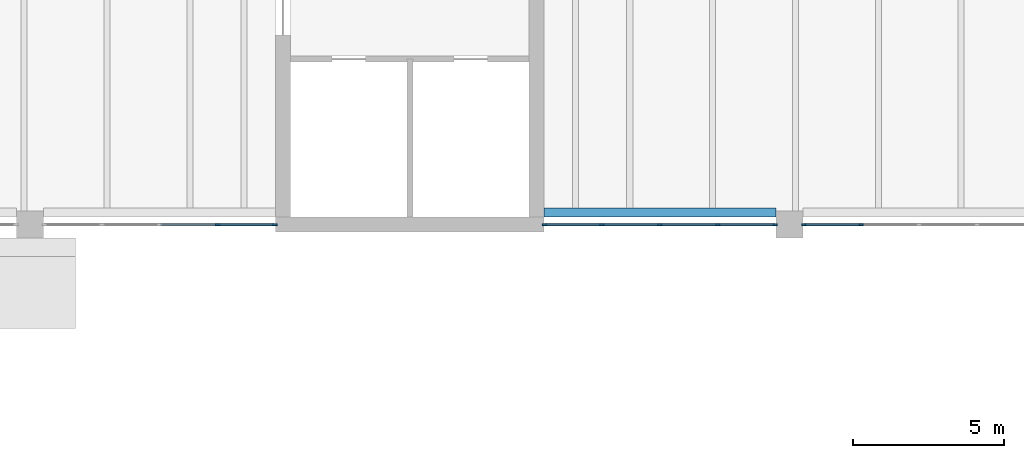
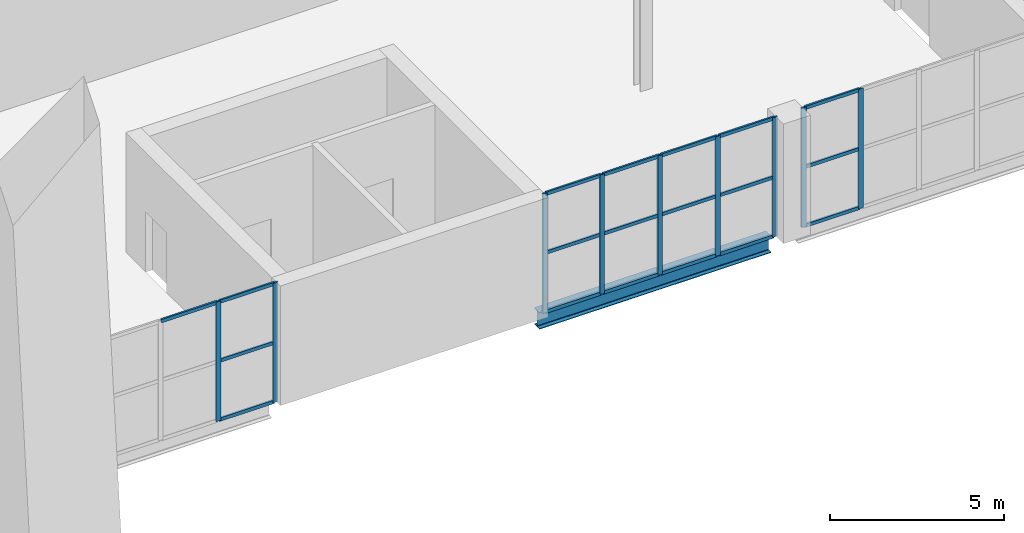
# One storey, part 31 of 100: 28 members, 1 beam, 3 elements without a shape of their own.
"""IFC4 building model written with IfcOpenShell, lengths in metres."""

from ifc_helpers import new_model, si_unit, direction, frame, origin, origin_2d, place, context, subcontext, project, spatial, rectangle, i_section, extrude, material, layer, layer_set, material_profile, profile_set, type_object, element, aggregate, save


model = new_model("IFC4")

# Units and contexts
model_context = context("Model", 3, precision=1e-05, world=origin(), true_north=direction((0.0, 1.0)))
body_context = subcontext(model_context, "Body", "Model", "MODEL_VIEW")
ifc_project = project(units=[si_unit("LENGTHUNIT", "METRE"), si_unit("AREAUNIT", "SQUARE_METRE"), si_unit("VOLUMEUNIT", "CUBIC_METRE"), si_unit("PLANEANGLEUNIT", "RADIAN"), si_unit("MASSUNIT", "GRAM", prefix="KILO")], contexts=[model_context])

# Site, building, storey
site_placement = place(None, origin())
site = spatial("IfcSite", under=ifc_project, at=site_placement, CompositionType="ELEMENT")
building_placement = place(site_placement, origin())
building = spatial("IfcBuilding", under=site, at=building_placement, Name="Cresset Court Congress Hotel", CompositionType="ELEMENT")
storey_placement = place(building_placement, frame((0.0, 0.0, 10.199951171875)))
storey = spatial("IfcBuildingStorey", under=building, at=storey_placement, Name="L02", CompositionType="ELEMENT", Elevation=10.199951171875)

# Curtain wall, members
ifc_material_1 = material(Name="Aluminium and glass", Category="aluminium")
ifc_layer = layer(ifc_material_1, 0.199951171875)
ifc_layer_set = layer_set([ifc_layer], Name="Foyer curtain wall 1925 module")
curtain_wall_type = type_object("IfcCurtainWallType", Name="Foyer curtain wall 1925 module", PredefinedType="NOTDEFINED", material=ifc_layer_set)
curtain_wall_1_placement = place(storey_placement, origin())
curtain_wall_1 = element("IfcCurtainWall", 1, at=curtain_wall_1_placement, inside=storey, type_object=curtain_wall_type, Name="Curtain wall CX-022", PredefinedType="NOTDEFINED")
ifc_material_2 = material(Name="Anodised aluminium", Category="aluminium")
ifc_material_profile_1 = material_profile(ifc_material_2, rectangle(XDim=0.06005859375, YDim=0.159912109375, at=origin_2d()), Name="AL60x160")
ifc_profile_set_1 = profile_set([ifc_material_profile_1], Name="Anodised aluminium")
member_type_1 = type_object("IfcMemberType", Name="Curtain wall mullion 60x160", PredefinedType="MULLION", material=ifc_profile_set_1)
member_1_placement = place(storey_placement, frame((81.824951171875, 58.800048828125, 0.0), z_axis=(0.0, 0.0, 1.0), x_axis=(0.0, 1.0, 0.0)))
member_1 = element("IfcMember", 2, at=member_1_placement, type_object=member_type_1, Name="C-X1 mullion 4", PredefinedType="MULLION", context=body_context, shape_type="SweptSolid", body=[
    extrude(rectangle(XDim=0.06005859375, YDim=0.159912109375, at=origin_2d()), origin(), (0.0, 0.0, 1.0), 4.199951171875),
])
member_2_placement = place(storey_placement, frame((83.719970703125, 58.800048828125, 0.0), z_axis=(0.0, 0.0, 1.0), x_axis=(0.0, 1.0, 0.0)))
member_2 = element("IfcMember", 3, at=member_2_placement, type_object=member_type_1, Name="C-X1 mullion 5", PredefinedType="MULLION", context=body_context, shape_type="SweptSolid", body=[
    extrude(rectangle(XDim=0.06005859375, YDim=0.159912109375, at=origin_2d()), origin(), (0.0, 0.0, 1.0), 4.199951171875),
])

curtain_wall_2_placement = place(storey_placement, origin())
curtain_wall_2 = element("IfcCurtainWall", 4, at=curtain_wall_2_placement, inside=storey, type_object=curtain_wall_type, Name="Curtain wall CX-023", PredefinedType="NOTDEFINED")
member_3_placement = place(storey_placement, frame((92.679931640625, 58.800048828125, 0.0), z_axis=(0.0, 0.0, 1.0), x_axis=(0.0, 1.0, 0.0)))
member_3 = element("IfcMember", 5, at=member_3_placement, type_object=member_type_1, Name="C-X1 mullion 1", PredefinedType="MULLION", context=body_context, shape_type="SweptSolid", body=[
    extrude(rectangle(XDim=0.06005859375, YDim=0.159912109375, at=origin_2d()), origin(), (0.0, 0.0, 1.0), 4.199951171875),
])
member_4_placement = place(storey_placement, frame((94.574951171875, 58.800048828125, 0.0), z_axis=(0.0, 0.0, 1.0), x_axis=(0.0, 1.0, 0.0)))
member_4 = element("IfcMember", 6, at=member_4_placement, type_object=member_type_1, Name="C-X1 mullion 2", PredefinedType="MULLION", context=body_context, shape_type="SweptSolid", body=[
    extrude(rectangle(XDim=0.06005859375, YDim=0.159912109375, at=origin_2d()), origin(), (0.0, 0.0, 1.0), 4.199951171875),
])
member_5_placement = place(storey_placement, frame((96.5, 58.800048828125, 0.0), z_axis=(0.0, 0.0, 1.0), x_axis=(0.0, 1.0, 0.0)))
member_5 = element("IfcMember", 7, at=member_5_placement, type_object=member_type_1, Name="C-X1 mullion 3", PredefinedType="MULLION", context=body_context, shape_type="SweptSolid", body=[
    extrude(rectangle(XDim=0.06005859375, YDim=0.159912109375, at=origin_2d()), origin(), (0.0, 0.0, 1.0), 4.199951171875),
])
member_6_placement = place(storey_placement, frame((98.425048828125, 58.800048828125, 0.0), z_axis=(0.0, 0.0, 1.0), x_axis=(0.0, 1.0, 0.0)))
member_6 = element("IfcMember", 8, at=member_6_placement, type_object=member_type_1, Name="C-X1 mullion 4", PredefinedType="MULLION", context=body_context, shape_type="SweptSolid", body=[
    extrude(rectangle(XDim=0.06005859375, YDim=0.159912109375, at=origin_2d()), origin(), (0.0, 0.0, 1.0), 4.199951171875),
])
member_7_placement = place(storey_placement, frame((100.320068359375, 58.800048828125, 0.0), z_axis=(0.0, 0.0, 1.0), x_axis=(0.0, 1.0, 0.0)))
member_7 = element("IfcMember", 9, at=member_7_placement, type_object=member_type_1, Name="C-X1 mullion 5", PredefinedType="MULLION", context=body_context, shape_type="SweptSolid", body=[
    extrude(rectangle(XDim=0.06005859375, YDim=0.159912109375, at=origin_2d()), origin(), (0.0, 0.0, 1.0), 4.199951171875),
])

curtain_wall_3_placement = place(storey_placement, origin())
curtain_wall_3 = element("IfcCurtainWall", 10, at=curtain_wall_3_placement, inside=storey, type_object=curtain_wall_type, Name="Curtain wall CX-024", PredefinedType="NOTDEFINED")
member_8_placement = place(storey_placement, frame((101.280029296875, 58.800048828125, 0.0), z_axis=(0.0, 0.0, 1.0), x_axis=(0.0, 1.0, 0.0)))
member_8 = element("IfcMember", 11, at=member_8_placement, type_object=member_type_1, Name="C-X1 mullion 1", PredefinedType="MULLION", context=body_context, shape_type="SweptSolid", body=[
    extrude(rectangle(XDim=0.06005859375, YDim=0.159912109375, at=origin_2d()), origin(), (0.0, 0.0, 1.0), 4.199951171875),
])
member_9_placement = place(storey_placement, frame((103.175048828125, 58.800048828125, 0.0), z_axis=(0.0, 0.0, 1.0), x_axis=(0.0, 1.0, 0.0)))
member_9 = element("IfcMember", 12, at=member_9_placement, type_object=member_type_1, Name="C-X1 mullion 2", PredefinedType="MULLION", context=body_context, shape_type="SweptSolid", body=[
    extrude(rectangle(XDim=0.06005859375, YDim=0.159912109375, at=origin_2d()), origin(), (0.0, 0.0, 1.0), 4.199951171875),
])

# Member
ifc_material_3 = material(Name="Anodised aluminium", Category="aluminium")
ifc_material_profile_2 = material_profile(ifc_material_3, rectangle(XDim=0.06005859375, YDim=0.1201171875, at=origin_2d()), Name="AL60x120")
ifc_profile_set_2 = profile_set([ifc_material_profile_2], Name="Anodised aluminium")
member_type_2 = type_object("IfcMemberType", Name="Curtain wall transom 60x120", PredefinedType="USERDEFINED", material=ifc_profile_set_2)
member_10_placement = place(storey_placement, frame((79.929931640625, 58.800048828125, 4.170166015625), z_axis=(1.0, 0.0, 0.0), x_axis=(0.0, 1.0, 0.0)))
member_10 = element("IfcMember", 13, at=member_10_placement, type_object=member_type_2, Name="C-X1 transom 3.3", ObjectType="TRANSOM", PredefinedType="USERDEFINED", context=body_context, shape_type="SweptSolid", body=[
    extrude(rectangle(XDim=0.06005859375, YDim=0.1201171875, at=origin_2d()), origin(), (0.0, 0.0, 1.0), 1.864990234375),
])

member_11_placement = place(storey_placement, frame((81.85498046875, 58.800048828125, 0.030029296875), z_axis=(1.0, 0.0, 0.0), x_axis=(0.0, 1.0, 0.0)))
member_11 = element("IfcMember", 14, at=member_11_placement, type_object=member_type_2, Name="C-X1 transom 4.1", ObjectType="TRANSOM", PredefinedType="USERDEFINED", context=body_context, shape_type="SweptSolid", body=[
    extrude(rectangle(XDim=0.06005859375, YDim=0.1201171875, at=origin_2d()), origin(), (0.0, 0.0, 1.0), 1.8349609375),
])

member_12_placement = place(storey_placement, frame((81.85498046875, 58.800048828125, 2.10009765625), z_axis=(1.0, 0.0, 0.0), x_axis=(0.0, 1.0, 0.0)))
member_12 = element("IfcMember", 15, at=member_12_placement, type_object=member_type_2, Name="C-X1 transom 4.2", ObjectType="TRANSOM", PredefinedType="USERDEFINED", context=body_context, shape_type="SweptSolid", body=[
    extrude(rectangle(XDim=0.06005859375, YDim=0.1201171875, at=origin_2d()), origin(), (0.0, 0.0, 1.0), 1.8349609375),
])

member_13_placement = place(storey_placement, frame((81.85498046875, 58.800048828125, 4.170166015625), z_axis=(1.0, 0.0, 0.0), x_axis=(0.0, 1.0, 0.0)))
member_13 = element("IfcMember", 16, at=member_13_placement, type_object=member_type_2, Name="C-X1 transom 4.3", ObjectType="TRANSOM", PredefinedType="USERDEFINED", context=body_context, shape_type="SweptSolid", body=[
    extrude(rectangle(XDim=0.06005859375, YDim=0.1201171875, at=origin_2d()), origin(), (0.0, 0.0, 1.0), 1.8349609375),
])

aggregate(curtain_wall_1, [member_1, member_2, member_10, member_11, member_12, member_13])

member_14_placement = place(storey_placement, frame((92.7099609375, 58.800048828125, 0.030029296875), z_axis=(1.0, 0.0, 0.0), x_axis=(0.0, 1.0, 0.0)))
member_14 = element("IfcMember", 17, at=member_14_placement, type_object=member_type_2, Name="C-X1 transom 1.1", ObjectType="TRANSOM", PredefinedType="USERDEFINED", context=body_context, shape_type="SweptSolid", body=[
    extrude(rectangle(XDim=0.06005859375, YDim=0.1201171875, at=origin_2d()), origin(), (0.0, 0.0, 1.0), 1.8349609375),
])

member_15_placement = place(storey_placement, frame((92.7099609375, 58.800048828125, 2.10009765625), z_axis=(1.0, 0.0, 0.0), x_axis=(0.0, 1.0, 0.0)))
member_15 = element("IfcMember", 18, at=member_15_placement, type_object=member_type_2, Name="C-X1 transom 1.2", ObjectType="TRANSOM", PredefinedType="USERDEFINED", context=body_context, shape_type="SweptSolid", body=[
    extrude(rectangle(XDim=0.06005859375, YDim=0.1201171875, at=origin_2d()), origin(), (0.0, 0.0, 1.0), 1.8349609375),
])

member_16_placement = place(storey_placement, frame((92.7099609375, 58.800048828125, 4.170166015625), z_axis=(1.0, 0.0, 0.0), x_axis=(0.0, 1.0, 0.0)))
member_16 = element("IfcMember", 19, at=member_16_placement, type_object=member_type_2, Name="C-X1 transom 1.3", ObjectType="TRANSOM", PredefinedType="USERDEFINED", context=body_context, shape_type="SweptSolid", body=[
    extrude(rectangle(XDim=0.06005859375, YDim=0.1201171875, at=origin_2d()), origin(), (0.0, 0.0, 1.0), 1.8349609375),
])

member_17_placement = place(storey_placement, frame((94.60498046875, 58.800048828125, 0.030029296875), z_axis=(1.0, 0.0, 0.0), x_axis=(0.0, 1.0, 0.0)))
member_17 = element("IfcMember", 20, at=member_17_placement, type_object=member_type_2, Name="C-X1 transom 2.1", ObjectType="TRANSOM", PredefinedType="USERDEFINED", context=body_context, shape_type="SweptSolid", body=[
    extrude(rectangle(XDim=0.06005859375, YDim=0.1201171875, at=origin_2d()), origin(), (0.0, 0.0, 1.0), 1.864990234375),
])

member_18_placement = place(storey_placement, frame((94.60498046875, 58.800048828125, 2.10009765625), z_axis=(1.0, 0.0, 0.0), x_axis=(0.0, 1.0, 0.0)))
member_18 = element("IfcMember", 21, at=member_18_placement, type_object=member_type_2, Name="C-X1 transom 2.2", ObjectType="TRANSOM", PredefinedType="USERDEFINED", context=body_context, shape_type="SweptSolid", body=[
    extrude(rectangle(XDim=0.06005859375, YDim=0.1201171875, at=origin_2d()), origin(), (0.0, 0.0, 1.0), 1.864990234375),
])

member_19_placement = place(storey_placement, frame((94.60498046875, 58.800048828125, 4.170166015625), z_axis=(1.0, 0.0, 0.0), x_axis=(0.0, 1.0, 0.0)))
member_19 = element("IfcMember", 22, at=member_19_placement, type_object=member_type_2, Name="C-X1 transom 2.3", ObjectType="TRANSOM", PredefinedType="USERDEFINED", context=body_context, shape_type="SweptSolid", body=[
    extrude(rectangle(XDim=0.06005859375, YDim=0.1201171875, at=origin_2d()), origin(), (0.0, 0.0, 1.0), 1.864990234375),
])

member_20_placement = place(storey_placement, frame((96.530029296875, 58.800048828125, 0.030029296875), z_axis=(1.0, 0.0, 0.0), x_axis=(0.0, 1.0, 0.0)))
member_20 = element("IfcMember", 23, at=member_20_placement, type_object=member_type_2, Name="C-X1 transom 3.1", ObjectType="TRANSOM", PredefinedType="USERDEFINED", context=body_context, shape_type="SweptSolid", body=[
    extrude(rectangle(XDim=0.06005859375, YDim=0.1201171875, at=origin_2d()), origin(), (0.0, 0.0, 1.0), 1.864990234375),
])

member_21_placement = place(storey_placement, frame((96.530029296875, 58.800048828125, 2.10009765625), z_axis=(1.0, 0.0, 0.0), x_axis=(0.0, 1.0, 0.0)))
member_21 = element("IfcMember", 24, at=member_21_placement, type_object=member_type_2, Name="C-X1 transom 3.2", ObjectType="TRANSOM", PredefinedType="USERDEFINED", context=body_context, shape_type="SweptSolid", body=[
    extrude(rectangle(XDim=0.06005859375, YDim=0.1201171875, at=origin_2d()), origin(), (0.0, 0.0, 1.0), 1.864990234375),
])

member_22_placement = place(storey_placement, frame((96.530029296875, 58.800048828125, 4.170166015625), z_axis=(1.0, 0.0, 0.0), x_axis=(0.0, 1.0, 0.0)))
member_22 = element("IfcMember", 25, at=member_22_placement, type_object=member_type_2, Name="C-X1 transom 3.3", ObjectType="TRANSOM", PredefinedType="USERDEFINED", context=body_context, shape_type="SweptSolid", body=[
    extrude(rectangle(XDim=0.06005859375, YDim=0.1201171875, at=origin_2d()), origin(), (0.0, 0.0, 1.0), 1.864990234375),
])

member_23_placement = place(storey_placement, frame((98.455078125, 58.800048828125, 0.030029296875), z_axis=(1.0, 0.0, 0.0), x_axis=(0.0, 1.0, 0.0)))
member_23 = element("IfcMember", 26, at=member_23_placement, type_object=member_type_2, Name="C-X1 transom 4.1", ObjectType="TRANSOM", PredefinedType="USERDEFINED", context=body_context, shape_type="SweptSolid", body=[
    extrude(rectangle(XDim=0.06005859375, YDim=0.1201171875, at=origin_2d()), origin(), (0.0, 0.0, 1.0), 1.8349609375),
])

member_24_placement = place(storey_placement, frame((98.455078125, 58.800048828125, 2.10009765625), z_axis=(1.0, 0.0, 0.0), x_axis=(0.0, 1.0, 0.0)))
member_24 = element("IfcMember", 27, at=member_24_placement, type_object=member_type_2, Name="C-X1 transom 4.2", ObjectType="TRANSOM", PredefinedType="USERDEFINED", context=body_context, shape_type="SweptSolid", body=[
    extrude(rectangle(XDim=0.06005859375, YDim=0.1201171875, at=origin_2d()), origin(), (0.0, 0.0, 1.0), 1.8349609375),
])

member_25_placement = place(storey_placement, frame((98.455078125, 58.800048828125, 4.170166015625), z_axis=(1.0, 0.0, 0.0), x_axis=(0.0, 1.0, 0.0)))
member_25 = element("IfcMember", 28, at=member_25_placement, type_object=member_type_2, Name="C-X1 transom 4.3", ObjectType="TRANSOM", PredefinedType="USERDEFINED", context=body_context, shape_type="SweptSolid", body=[
    extrude(rectangle(XDim=0.06005859375, YDim=0.1201171875, at=origin_2d()), origin(), (0.0, 0.0, 1.0), 1.8349609375),
])

aggregate(curtain_wall_2, [member_3, member_4, member_5, member_6, member_7, member_14, member_15, member_16, member_17, member_18, member_19, member_20, member_21, member_22, member_23, member_24, member_25])

member_26_placement = place(storey_placement, frame((101.31005859375, 58.800048828125, 0.030029296875), z_axis=(1.0, 0.0, 0.0), x_axis=(0.0, 1.0, 0.0)))
member_26 = element("IfcMember", 29, at=member_26_placement, type_object=member_type_2, Name="C-X1 transom 1.1", ObjectType="TRANSOM", PredefinedType="USERDEFINED", context=body_context, shape_type="SweptSolid", body=[
    extrude(rectangle(XDim=0.06005859375, YDim=0.1201171875, at=origin_2d()), origin(), (0.0, 0.0, 1.0), 1.8349609375),
])

member_27_placement = place(storey_placement, frame((101.31005859375, 58.800048828125, 2.10009765625), z_axis=(1.0, 0.0, 0.0), x_axis=(0.0, 1.0, 0.0)))
member_27 = element("IfcMember", 30, at=member_27_placement, type_object=member_type_2, Name="C-X1 transom 1.2", ObjectType="TRANSOM", PredefinedType="USERDEFINED", context=body_context, shape_type="SweptSolid", body=[
    extrude(rectangle(XDim=0.06005859375, YDim=0.1201171875, at=origin_2d()), origin(), (0.0, 0.0, 1.0), 1.8349609375),
])

member_28_placement = place(storey_placement, frame((101.31005859375, 58.800048828125, 4.170166015625), z_axis=(1.0, 0.0, 0.0), x_axis=(0.0, 1.0, 0.0)))
member_28 = element("IfcMember", 31, at=member_28_placement, type_object=member_type_2, Name="C-X1 transom 1.3", ObjectType="TRANSOM", PredefinedType="USERDEFINED", context=body_context, shape_type="SweptSolid", body=[
    extrude(rectangle(XDim=0.06005859375, YDim=0.1201171875, at=origin_2d()), origin(), (0.0, 0.0, 1.0), 1.8349609375),
])

aggregate(curtain_wall_3, [member_8, member_9, member_26, member_27, member_28])

# Beam
ifc_material_4 = material(Name="Structural steel Q355B", Category="steel")
ifc_material_profile_3 = material_profile(ifc_material_4, i_section(OverallWidth=0.300048828125, OverallDepth=0.587890625, WebThickness=0.011962890625, FlangeThickness=0.02001953125, FilletRadius=0.028076171875, at=origin_2d()), Name="HM588x300x12x20")
ifc_profile_set_3 = profile_set([ifc_material_profile_3], Name="Structural steel Q355B")
beam_type = type_object("IfcBeamType", Name="Steel HM588x300x12x20 girder", PredefinedType="BEAM", material=ifc_profile_set_3)
beam_placement = place(storey_placement, frame((92.64990234375, 59.199951171875, -0.44384765625), z_axis=(1.0, 0.0, 0.0), x_axis=(0.0, 1.0, 0.0)))
element("IfcBeam", 32, at=beam_placement, inside=storey, type_object=beam_type, Name="Girder CG-F027", PredefinedType="BEAM", context=body_context, shape_type="SweptSolid", body=[
    extrude(i_section(OverallWidth=0.300048828125, OverallDepth=0.587890625, WebThickness=0.011962890625, FlangeThickness=0.02001953125, FilletRadius=0.028076171875, at=origin_2d()), origin(), (0.0, 0.0, 1.0), 7.7001953125),
])

save(model, "model.ifc")
